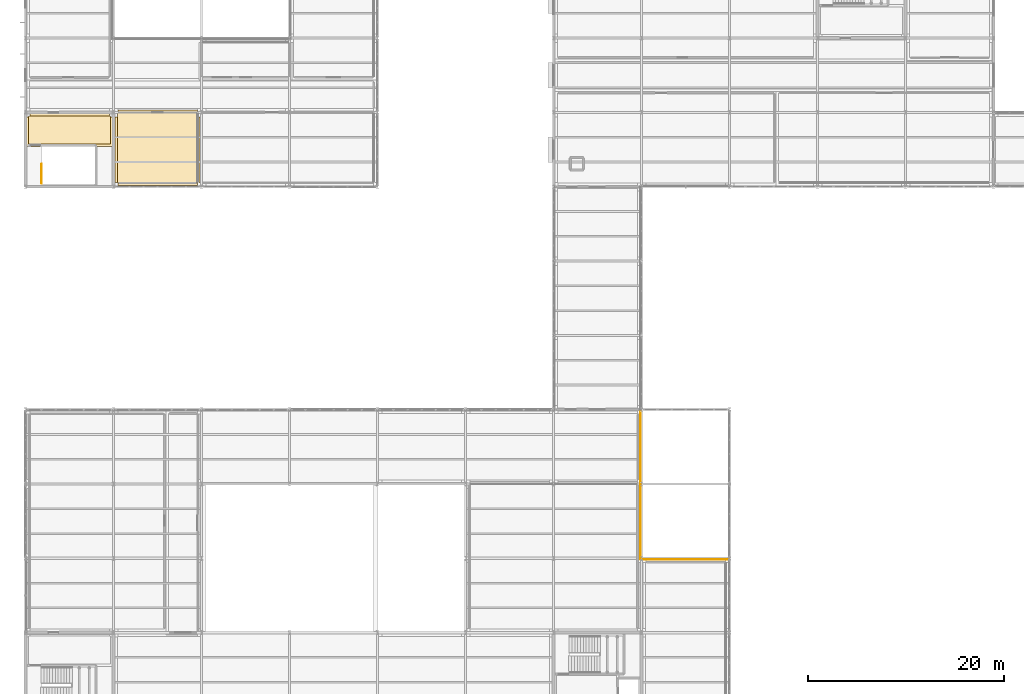
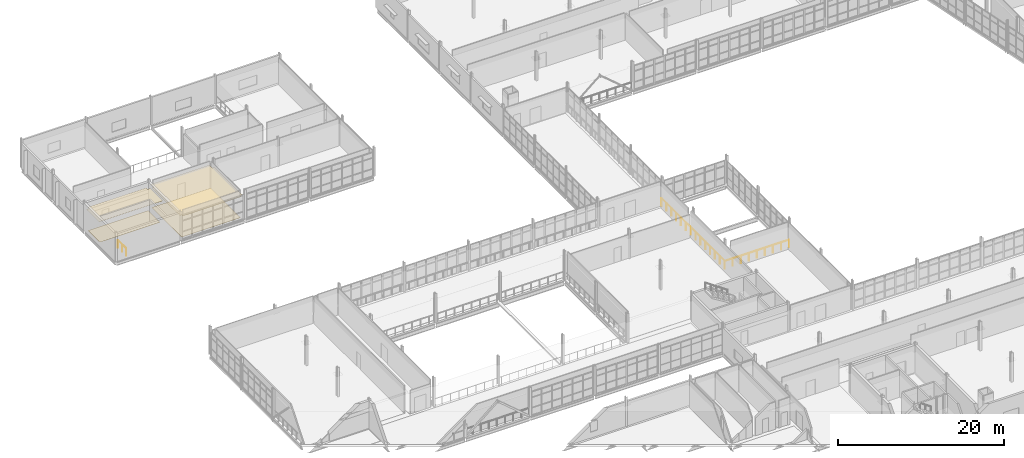
# One storey, part 168 of 174: 4 coverings, 2 railings.
"""IFC4 building model written with IfcOpenShell, lengths in metres."""

from ifc_helpers import new_model, si_unit, direction, frame, origin, origin_2d, place, context, subcontext, project, spatial, polyline, circle, outline, extrude, material, layer, layer_set, type_object, element, save


model = new_model("IFC4")

# Units and contexts
model_context = context("Model", 3, precision=1e-05, world=origin(), true_north=direction((0.0, 1.0)))
body_context = subcontext(model_context, "Body", "Model", "MODEL_VIEW")
ifc_project = project(units=[si_unit("LENGTHUNIT", "METRE"), si_unit("AREAUNIT", "SQUARE_METRE"), si_unit("VOLUMEUNIT", "CUBIC_METRE"), si_unit("PLANEANGLEUNIT", "RADIAN"), si_unit("MASSUNIT", "GRAM", prefix="KILO")], contexts=[model_context])

# Site, building, storey
site_placement = place(None, origin())
site = spatial("IfcSite", under=ifc_project, at=site_placement, CompositionType="ELEMENT")
building_placement = place(site_placement, origin())
building = spatial("IfcBuilding", under=site, at=building_placement, Name="Caisbarro Railhouse Central Library", CompositionType="ELEMENT")
storey_placement = place(building_placement, frame((0.0, 0.0, 5.0400390625)))
storey = spatial("IfcBuildingStorey", under=building, at=storey_placement, Name="L01", CompositionType="ELEMENT", Elevation=5.0400390625)

# Coverings
ifc_material_1 = material(Name="Perforated mineral-fibre acoustic ceiling tile")
ifc_layer_1 = layer(ifc_material_1, 0.01806640625, Name="Perforated mineral-fibre acoustic ceiling tile")
ifc_layer_set_1 = layer_set([ifc_layer_1], Name="Perforated mineral-fibre acoustic ceiling tile")
covering_type_1 = type_object("IfcCoveringType", Name="COV-CL01", PredefinedType="CEILING", material=ifc_layer_set_1)
covering_1_placement = place(storey_placement, frame((0.0, 0.0, 3.25)))
element("IfcCovering", 1, at=covering_1_placement, inside=storey, type_object=covering_type_1, Name="CL01 acoustic ceiling Stair Lobby K8", PredefinedType="CEILING", context=body_context, shape_type="SweptSolid", body=[
    extrude(outline(polyline([(0.43994140625, 90.760009765625), (0.43994140625, 91.110107421875), (8.56005859375, 91.110107421875), (8.56005859375, 90.760009765625), (8.9599609375, 90.760009765625), (8.9599609375, 87.739990234375), (0.0400390625, 87.739990234375), (0.0400390625, 90.760009765625), (0.43994140625, 90.760009765625)])), origin(), (0.0, 0.0, 1.0), 0.01806640625),
])
covering_2_placement = place(storey_placement, frame((0.0, 0.0, 3.25)))
element("IfcCovering", 2, at=covering_2_placement, inside=storey, type_object=covering_type_1, Name="CL01 acoustic ceiling Young Adult Graphic-Novel Studio", PredefinedType="CEILING", context=body_context, shape_type="SweptSolid", body=[
    extrude(outline(polyline([(17.56005859375, 84.0400390625), (17.56005859375, 83.739990234375), (9.43994140625, 83.739990234375), (9.43994140625, 84.0400390625), (9.139892578125, 84.0400390625), (9.139892578125, 90.760009765625), (9.43994140625, 90.760009765625), (9.43994140625, 91.4599609375), (17.56005859375, 91.4599609375), (17.56005859375, 90.760009765625), (17.860107421875, 90.760009765625), (17.860107421875, 84.0400390625), (17.56005859375, 84.0400390625)])), origin(), (0.0, 0.0, 1.0), 0.01806640625),
])
ifc_material_2 = material(Name="Polished cementitious terrazzo flooring")
ifc_layer_2 = layer(ifc_material_2, 0.02197265625, Name="Polished cementitious terrazzo flooring")
ifc_layer_set_2 = layer_set([ifc_layer_2], Name="Polished cementitious terrazzo flooring")
covering_type_2 = type_object("IfcCoveringType", Name="COV-FL01", PredefinedType="FLOORING", material=ifc_layer_set_2)
covering_3_placement = place(storey_placement, origin())
element("IfcCovering", 3, at=covering_3_placement, inside=storey, type_object=covering_type_2, Name="FL01 flooring Stair Lobby K8", PredefinedType="FLOORING", context=body_context, shape_type="SweptSolid", body=[
    extrude(outline(polyline([(0.300048828125, 88.0), (8.699951171875, 88.0), (8.699951171875, 90.85009765625), (0.300048828125, 90.85009765625), (0.300048828125, 88.0)])), origin(), (0.0, 0.0, 1.0), 0.02197265625),
])
ifc_material_3 = material(Name="Heavy-duty acoustic linoleum flooring")
ifc_layer_3 = layer(ifc_material_3, 0.011962890625, Name="Heavy-duty acoustic linoleum flooring")
ifc_layer_set_3 = layer_set([ifc_layer_3], Name="Heavy-duty acoustic linoleum flooring")
covering_type_3 = type_object("IfcCoveringType", Name="COV-FL02", PredefinedType="FLOORING", material=ifc_layer_set_3)
covering_4_placement = place(storey_placement, origin())
element("IfcCovering", 4, at=covering_4_placement, inside=storey, type_object=covering_type_3, Name="FL02 flooring Young Adult Graphic-Novel Studio", PredefinedType="FLOORING", context=body_context, shape_type="SweptSolid", body=[
    extrude(outline(polyline([(9.39990234375, 84.0), (17.60009765625, 84.0), (17.60009765625, 91.199951171875), (9.39990234375, 91.199951171875), (9.39990234375, 84.0)])), origin(), (0.0, 0.0, 1.0), 0.011962890625),
])

# Railings
ifc_material_4 = material(Name="Laminated safety glass balustrade with stainless top rail", Category="glass")
railing_type_1 = type_object("IfcRailingType", Name="RLG-ATR112", PredefinedType="GUARDRAIL", material=ifc_material_4)
railing_1_placement = place(storey_placement, frame((62.89990234375, 60.699951171875, 0.0)))
element("IfcRailing", 5, at=railing_1_placement, inside=storey, type_object=railing_type_1, Name="RG02 Interior Void Balustrade L01-06", PredefinedType="GUARDRAIL", context=body_context, shape_type="SweptSolid", body=[
    extrude(circle(Radius=0.02392578125, at=origin_2d()), frame((0.0, 0.0, 1.09619140625), z_axis=(0.0, -1.0, 0.0), x_axis=(1.0, 0.0, 0.0)), (0.0, 0.0, 1.0), 15.199951171875),
    extrude(circle(Radius=0.02392578125, at=origin_2d()), frame((0.0, -15.199951171875, 1.09619140625), z_axis=(1.0, 0.0, 0.0), x_axis=(0.0, 1.0, 0.0)), (0.0, 0.0, 1.0), 9.0),
    extrude(circle(Radius=0.02099609375, at=origin_2d()), origin(), (0.0, 0.0, 1.0), 1.072021484375),
    extrude(circle(Radius=0.02099609375, at=origin_2d()), frame((0.0, -1.169189453125, 0.0)), (0.0, 0.0, 1.0), 1.072021484375),
    extrude(circle(Radius=0.02099609375, at=origin_2d()), frame((0.0, -2.33837890625, 0.0)), (0.0, 0.0, 1.0), 1.072021484375),
    extrude(circle(Radius=0.02099609375, at=origin_2d()), frame((0.0, -3.507568359375, 0.0)), (0.0, 0.0, 1.0), 1.072021484375),
    extrude(circle(Radius=0.02099609375, at=origin_2d()), frame((0.0, -4.677001953125, 0.0)), (0.0, 0.0, 1.0), 1.072021484375),
    extrude(circle(Radius=0.02099609375, at=origin_2d()), frame((0.0, -5.84619140625, 0.0)), (0.0, 0.0, 1.0), 1.072021484375),
    extrude(circle(Radius=0.02099609375, at=origin_2d()), frame((0.0, -7.015380859375, 0.0)), (0.0, 0.0, 1.0), 1.072021484375),
    extrude(circle(Radius=0.02099609375, at=origin_2d()), frame((0.0, -8.1845703125, 0.0)), (0.0, 0.0, 1.0), 1.072021484375),
    extrude(circle(Radius=0.02099609375, at=origin_2d()), frame((0.0, -9.353759765625, 0.0)), (0.0, 0.0, 1.0), 1.072021484375),
    extrude(circle(Radius=0.02099609375, at=origin_2d()), frame((0.0, -10.52294921875, 0.0)), (0.0, 0.0, 1.0), 1.072021484375),
    extrude(circle(Radius=0.02099609375, at=origin_2d()), frame((0.0, -11.6923828125, 0.0)), (0.0, 0.0, 1.0), 1.072021484375),
    extrude(circle(Radius=0.02099609375, at=origin_2d()), frame((0.0, -12.861572265625, 0.0)), (0.0, 0.0, 1.0), 1.072021484375),
    extrude(circle(Radius=0.02099609375, at=origin_2d()), frame((0.0, -14.03076171875, 0.0)), (0.0, 0.0, 1.0), 1.072021484375),
    extrude(circle(Radius=0.02099609375, at=origin_2d()), frame((0.0, -15.199951171875, 0.0)), (0.0, 0.0, 1.0), 1.072021484375),
    extrude(circle(Radius=0.02099609375, at=origin_2d()), frame((1.125, -15.199951171875, 0.0)), (0.0, 0.0, 1.0), 1.072021484375),
    extrude(circle(Radius=0.02099609375, at=origin_2d()), frame((2.25, -15.199951171875, 0.0)), (0.0, 0.0, 1.0), 1.072021484375),
    extrude(circle(Radius=0.02099609375, at=origin_2d()), frame((3.375, -15.199951171875, 0.0)), (0.0, 0.0, 1.0), 1.072021484375),
    extrude(circle(Radius=0.02099609375, at=origin_2d()), frame((4.5, -15.199951171875, 0.0)), (0.0, 0.0, 1.0), 1.072021484375),
    extrude(circle(Radius=0.02099609375, at=origin_2d()), frame((5.625, -15.199951171875, 0.0)), (0.0, 0.0, 1.0), 1.072021484375),
    extrude(circle(Radius=0.02099609375, at=origin_2d()), frame((6.75, -15.199951171875, 0.0)), (0.0, 0.0, 1.0), 1.072021484375),
    extrude(circle(Radius=0.02099609375, at=origin_2d()), frame((7.875, -15.199951171875, 0.0)), (0.0, 0.0, 1.0), 1.072021484375),
    extrude(circle(Radius=0.02099609375, at=origin_2d()), frame((9.0, -15.199951171875, 0.0)), (0.0, 0.0, 1.0), 1.072021484375),
])
ifc_material_5 = material(Name="Brushed stainless steel Grade 316", Category="steel")
railing_type_2 = type_object("IfcRailingType", Name="RLG-STR110", PredefinedType="GUARDRAIL", material=ifc_material_5)
railing_2_placement = place(storey_placement, frame((1.64990234375, 83.949951171875, 0.0)))
element("IfcRailing", 6, at=railing_2_placement, inside=storey, type_object=railing_type_2, Name="Stair ST-08 Top Landing Guardrail L01", PredefinedType="GUARDRAIL", context=body_context, shape_type="SweptSolid", body=[
    extrude(circle(Radius=0.02392578125, at=origin_2d()), frame((0.0, 0.0, 1.076171875), z_axis=(0.0, 1.0, 0.0), x_axis=(-1.0, 0.0, 0.0)), (0.0, 0.0, 1.0), 1.969970703125),
    extrude(circle(Radius=0.02099609375, at=origin_2d()), origin(), (0.0, 0.0, 1.0), 1.052001953125),
    extrude(circle(Radius=0.02099609375, at=origin_2d()), frame((0.0, 0.98486328125, 0.0)), (0.0, 0.0, 1.0), 1.052001953125),
    extrude(circle(Radius=0.02099609375, at=origin_2d()), frame((0.0, 1.969970703125, 0.0)), (0.0, 0.0, 1.0), 1.052001953125),
])

save(model, "model.ifc")
